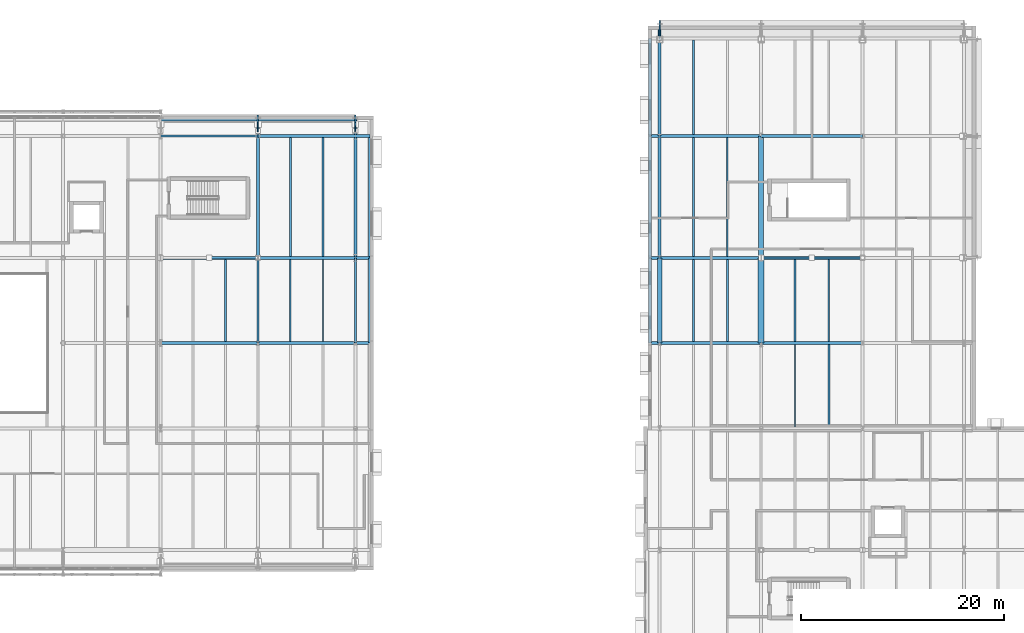
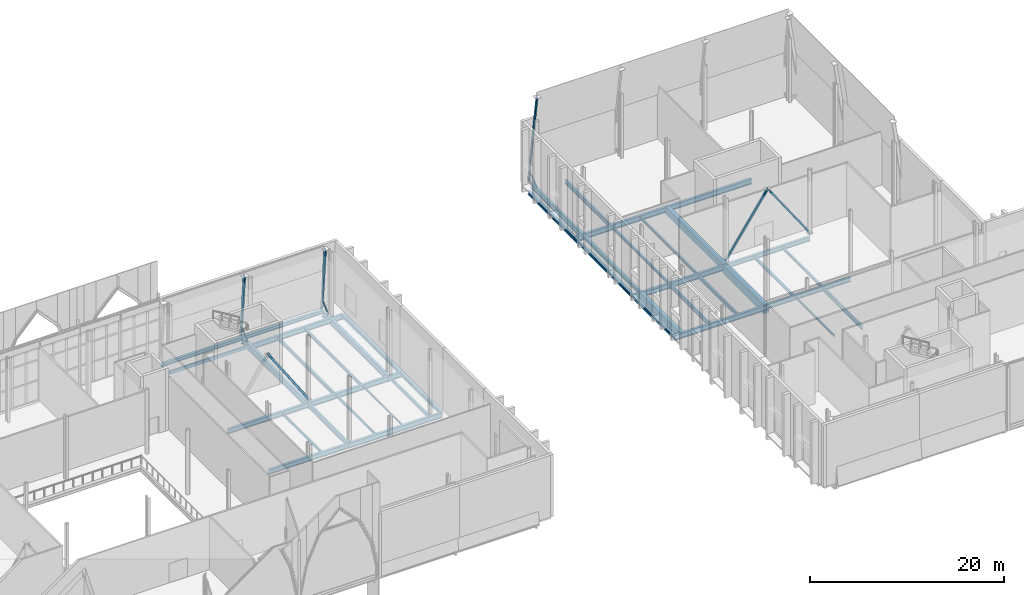
# One storey, part 32 of 79: 42 beams, 9 members.
"""IFC4 building model written with IfcOpenShell, lengths in metres."""

from ifc_helpers import new_model, si_unit, direction, frame, origin, origin_2d, place, context, subcontext, project, spatial, rectangle, hollow_rectangle, i_section, extrude, material, material_profile, profile_set, type_object, element, save


model = new_model("IFC4")

# Units and contexts
model_context = context("Model", 3, precision=1e-05, world=origin(), true_north=direction((0.0, 1.0)))
body_context = subcontext(model_context, "Body", "Model", "MODEL_VIEW")
ifc_project = project(units=[si_unit("LENGTHUNIT", "METRE"), si_unit("AREAUNIT", "SQUARE_METRE"), si_unit("VOLUMEUNIT", "CUBIC_METRE"), si_unit("PLANEANGLEUNIT", "RADIAN"), si_unit("MASSUNIT", "GRAM", prefix="KILO")], contexts=[model_context])

# Site, building, storey
site_placement = place(None, origin())
site = spatial("IfcSite", under=ifc_project, at=site_placement, CompositionType="ELEMENT")
building_placement = place(site_placement, origin())
building = spatial("IfcBuilding", under=site, at=building_placement, Name="Zereglee Splitstone Museum", CompositionType="ELEMENT")
storey_placement = place(building_placement, frame((0.0, 0.0, 9.0)))
storey = spatial("IfcBuildingStorey", under=building, at=storey_placement, Name="L02", CompositionType="ELEMENT", Elevation=9.0)

# Beams
ifc_material_1 = material(Name="Concrete C40/50", Category="concrete")
ifc_material_profile_1 = material_profile(ifc_material_1, rectangle(XDim=0.5, YDim=0.85009765625, at=origin_2d()), Name="RC 500x850")
ifc_profile_set_1 = profile_set([ifc_material_profile_1], Name="Concrete C40/50")
beam_type_1 = type_object("IfcBeamType", Name="BG-02", PredefinedType="BEAM", material=ifc_profile_set_1)
beam_1_placement = place(storey_placement, frame((185.199951171875, 38.39990234375, -0.7451171875), z_axis=(0.0, 1.0, 0.0), x_axis=(-1.0, 0.0, 0.0)))
element("IfcBeam", 1, at=beam_1_placement, inside=storey, type_object=beam_type_1, Name="Primary Girder L02 21 (38.4-50.4)", PredefinedType="BEAM", context=body_context, shape_type="SweptSolid", body=[
    extrude(rectangle(XDim=0.5, YDim=0.85009765625, at=origin_2d()), origin(), (0.0, 0.0, 1.0), 12.0),
])
ifc_material_profile_2 = material_profile(ifc_material_1, rectangle(XDim=0.60009765625, YDim=1.10009765625, at=origin_2d()), Name="RC 600x1100")
ifc_profile_set_2 = profile_set([ifc_material_profile_2], Name="Concrete C40/50")
beam_type_2 = type_object("IfcBeamType", Name="BG-01", PredefinedType="BEAM", material=ifc_profile_set_2)
beam_2_placement = place(storey_placement, frame((185.199951171875, 30.0, -0.8701171875), z_axis=(0.0, 1.0, 0.0), x_axis=(-1.0, 0.0, 0.0)))
element("IfcBeam", 2, at=beam_2_placement, inside=storey, type_object=beam_type_2, Name="Primary Girder L02 21 (30.0-38.4)", PredefinedType="BEAM", context=body_context, shape_type="SweptSolid", body=[
    extrude(rectangle(XDim=0.60009765625, YDim=1.10009765625, at=origin_2d()), origin(), (0.0, 0.0, 1.0), 8.39990234375),
])

# Members
ifc_material_2 = material(Name="Steel S355J2H", Category="steel")
ifc_material_profile_3 = material_profile(ifc_material_2, hollow_rectangle(XDim=0.199951171875, YDim=0.199951171875, WallThickness=0.010009765625, at=origin_2d()), Name="SHS 200x200x10")
ifc_profile_set_3 = profile_set([ifc_material_profile_3], Name="Steel S355J2H")
member_type_1 = type_object("IfcMemberType", Name="TB-07", PredefinedType="BRACE", material=ifc_profile_set_3)
for number, where, z_axis, x_axis, name in (
    (3, (185.199951171875, 38.39990234375, 0.1201171875), (0.567215076926, 0.0, 0.82356970349), (0.0, 1.0, 0.0), "Lateral Braced Frame Chevron L02-021A"),
    (4, (195.199951171875, 38.39990234375, 0.1201171875), (-0.567215076926, 0.0, 0.82356970349), (0.0, -1.0, 0.0), "Lateral Braced Frame Chevron L02-021B"),
):
    element("IfcMember", number, at=place(storey_placement, frame(where, z_axis=z_axis, x_axis=x_axis)), inside=storey, type_object=member_type_1, Name=name, PredefinedType="BRACE", context=body_context, shape_type="SweptSolid", body=[
        extrude(hollow_rectangle(XDim=0.199951171875, YDim=0.199951171875, WallThickness=0.010009765625, at=origin_2d()), origin(), (0.0, 0.0, 1.0), 8.81494140625),
    ])
ifc_material_profile_4 = material_profile(ifc_material_2, hollow_rectangle(XDim=0.25, YDim=0.25, WallThickness=0.012451171875, at=origin_2d()), Name="SHS 250x250x12.5")
ifc_profile_set_4 = profile_set([ifc_material_profile_4], Name="Steel S355J2H")
member_type_2 = type_object("IfcMemberType", Name="TB-06", PredefinedType="BRACE", material=ifc_profile_set_4)
member_1_placement = place(storey_placement, frame((135.60009765625, 38.39990234375, 0.1201171875), z_axis=(-0.551530619986, 0.0, 0.834154647063), x_axis=(0.0, -1.0, 0.0)))
element("IfcMember", 5, at=member_1_placement, inside=storey, type_object=member_type_2, Name="Lateral Braced Frame Chevron L02-012B", PredefinedType="BRACE", context=body_context, shape_type="SweptSolid", body=[
    extrude(hollow_rectangle(XDim=0.25, YDim=0.25, WallThickness=0.012451171875, at=origin_2d()), origin(), (0.0, 0.0, 1.0), 8.703125),
])

# Beams
ifc_material_3 = material(Name="Steel S355J2", Category="steel")
ifc_material_profile_5 = material_profile(ifc_material_3, i_section(OverallWidth=0.300048828125, OverallDepth=0.550048828125, WebThickness=0.014892578125, FlangeThickness=0.029052734375, FilletRadius=0.027099609375, at=origin_2d()), Name="HE 550 B")
ifc_profile_set_5 = profile_set([ifc_material_profile_5], Name="Steel S355J2")
beam_type_3 = type_object("IfcBeamType", Name="BG-11", PredefinedType="BEAM", material=ifc_profile_set_5)
for number, where, z_axis, x_axis, name in (
    (6, (185.199951171875, 30.0, -0.594970703125), (1.0, 0.0, 0.0), (0.0, 1.0, 0.0), "Primary Girder L02 D (185.2-195.2)"),
    (7, (185.199951171875, 38.39990234375, -0.594970703125), (1.0, 0.0, 0.0), (0.0, 1.0, 0.0), "Primary Girder L02 E (185.2-195.2)"),
):
    element("IfcBeam", number, at=place(storey_placement, frame(where, z_axis=z_axis, x_axis=x_axis)), inside=storey, type_object=beam_type_3, Name=name, PredefinedType="BEAM", context=body_context, shape_type="SweptSolid", body=[
        extrude(i_section(OverallWidth=0.300048828125, OverallDepth=0.550048828125, WebThickness=0.014892578125, FlangeThickness=0.029052734375, FilletRadius=0.027099609375, at=origin_2d()), origin(), (0.0, 0.0, 1.0), 10.0),
    ])
ifc_material_profile_6 = material_profile(ifc_material_3, i_section(OverallWidth=0.300048828125, OverallDepth=0.60009765625, WebThickness=0.015380859375, FlangeThickness=0.030029296875, FilletRadius=0.027099609375, at=origin_2d()), Name="HE 600 B")
ifc_profile_set_6 = profile_set([ifc_material_profile_6], Name="Steel S355J2")
beam_type_4 = type_object("IfcBeamType", Name="BG-10", PredefinedType="BEAM", material=ifc_profile_set_6)
for number, where, z_axis, x_axis, name in (
    (8, (126.0, 30.0, -0.6201171875), (1.0, 0.0, 0.0), (0.0, 1.0, 0.0), "Primary Girder L02 D (126.0-135.6)"),
    (9, (126.0, 38.39990234375, -0.6201171875), (1.0, 0.0, 0.0), (0.0, 1.0, 0.0), "Primary Girder L02 E (126.0-135.6)"),
):
    element("IfcBeam", number, at=place(storey_placement, frame(where, z_axis=z_axis, x_axis=x_axis)), inside=storey, type_object=beam_type_4, Name=name, PredefinedType="BEAM", context=body_context, shape_type="SweptSolid", body=[
        extrude(i_section(OverallWidth=0.300048828125, OverallDepth=0.60009765625, WebThickness=0.015380859375, FlangeThickness=0.030029296875, FilletRadius=0.027099609375, at=origin_2d()), origin(), (0.0, 0.0, 1.0), 9.60009765625),
    ])
ifc_material_profile_7 = material_profile(ifc_material_3, i_section(OverallWidth=0.300048828125, OverallDepth=0.64990234375, WebThickness=0.01611328125, FlangeThickness=0.031005859375, FilletRadius=0.027099609375, at=origin_2d()), Name="HE 650 B")
ifc_profile_set_7 = profile_set([ifc_material_profile_7], Name="Steel S355J2")
beam_type_5 = type_object("IfcBeamType", Name="BG-09", PredefinedType="BEAM", material=ifc_profile_set_7)
beam_3_placement = place(storey_placement, frame((135.60009765625, 30.0, -0.64501953125), z_axis=(1.0, 0.0, 0.0), x_axis=(0.0, 1.0, 0.0)))
element("IfcBeam", 10, at=beam_3_placement, inside=storey, type_object=beam_type_5, Name="Primary Girder L02 D (135.6-146.7)", PredefinedType="BEAM", context=body_context, shape_type="SweptSolid", body=[
    extrude(i_section(OverallWidth=0.300048828125, OverallDepth=0.64990234375, WebThickness=0.01611328125, FlangeThickness=0.031005859375, FilletRadius=0.027099609375, at=origin_2d()), origin(), (0.0, 0.0, 1.0), 11.0498046875),
])
beam_4_placement = place(storey_placement, frame((174.25, 30.0, -0.64501953125), z_axis=(1.0, 0.0, 0.0), x_axis=(0.0, 1.0, 0.0)))
element("IfcBeam", 11, at=beam_4_placement, inside=storey, type_object=beam_type_5, Name="Primary Girder L02 D (174.2-185.2)", PredefinedType="BEAM", context=body_context, shape_type="SweptSolid", body=[
    extrude(i_section(OverallWidth=0.300048828125, OverallDepth=0.64990234375, WebThickness=0.01611328125, FlangeThickness=0.031005859375, FilletRadius=0.027099609375, at=origin_2d()), origin(), (0.0, 0.0, 1.0), 10.949951171875),
])
beam_5_placement = place(storey_placement, frame((135.60009765625, 38.39990234375, -0.64501953125), z_axis=(1.0, 0.0, 0.0), x_axis=(0.0, 1.0, 0.0)))
element("IfcBeam", 12, at=beam_5_placement, inside=storey, type_object=beam_type_5, Name="Primary Girder L02 E (135.6-146.7)", PredefinedType="BEAM", context=body_context, shape_type="SweptSolid", body=[
    extrude(i_section(OverallWidth=0.300048828125, OverallDepth=0.64990234375, WebThickness=0.01611328125, FlangeThickness=0.031005859375, FilletRadius=0.027099609375, at=origin_2d()), origin(), (0.0, 0.0, 1.0), 11.0498046875),
])
beam_6_placement = place(storey_placement, frame((174.25, 38.39990234375, -0.64501953125), z_axis=(1.0, 0.0, 0.0), x_axis=(0.0, 1.0, 0.0)))
element("IfcBeam", 13, at=beam_6_placement, inside=storey, type_object=beam_type_5, Name="Primary Girder L02 E (174.2-185.2)", PredefinedType="BEAM", context=body_context, shape_type="SweptSolid", body=[
    extrude(i_section(OverallWidth=0.300048828125, OverallDepth=0.64990234375, WebThickness=0.01611328125, FlangeThickness=0.031005859375, FilletRadius=0.027099609375, at=origin_2d()), origin(), (0.0, 0.0, 1.0), 10.949951171875),
])
beam_7_placement = place(storey_placement, frame((135.60009765625, 50.39990234375, -0.64501953125), z_axis=(1.0, 0.0, 0.0), x_axis=(0.0, 1.0, 0.0)))
element("IfcBeam", 14, at=beam_7_placement, inside=storey, type_object=beam_type_5, Name="Primary Girder L02 F (135.6-146.7)", PredefinedType="BEAM", context=body_context, shape_type="SweptSolid", body=[
    extrude(i_section(OverallWidth=0.300048828125, OverallDepth=0.64990234375, WebThickness=0.01611328125, FlangeThickness=0.031005859375, FilletRadius=0.027099609375, at=origin_2d()), origin(), (0.0, 0.0, 1.0), 11.0498046875),
])
beam_8_placement = place(storey_placement, frame((174.25, 50.39990234375, -0.64501953125), z_axis=(1.0, 0.0, 0.0), x_axis=(0.0, 1.0, 0.0)))
element("IfcBeam", 15, at=beam_8_placement, inside=storey, type_object=beam_type_5, Name="Primary Girder L02 F (174.2-185.2)", PredefinedType="BEAM", context=body_context, shape_type="SweptSolid", body=[
    extrude(i_section(OverallWidth=0.300048828125, OverallDepth=0.64990234375, WebThickness=0.01611328125, FlangeThickness=0.031005859375, FilletRadius=0.027099609375, at=origin_2d()), origin(), (0.0, 0.0, 1.0), 10.949951171875),
])
beam_9_placement = place(storey_placement, frame((185.199951171875, 50.39990234375, -0.64501953125), z_axis=(1.0, 0.0, 0.0), x_axis=(0.0, 1.0, 0.0)))
element("IfcBeam", 16, at=beam_9_placement, inside=storey, type_object=beam_type_5, Name="Primary Girder L02 F (185.2-195.2)", PredefinedType="BEAM", context=body_context, shape_type="SweptSolid", body=[
    extrude(i_section(OverallWidth=0.300048828125, OverallDepth=0.64990234375, WebThickness=0.01611328125, FlangeThickness=0.031005859375, FilletRadius=0.027099609375, at=origin_2d()), origin(), (0.0, 0.0, 1.0), 10.0),
])
beam_10_placement = place(storey_placement, frame((175.199951171875, 50.39990234375, -0.64501953125), z_axis=(0.0, 1.0, 0.0), x_axis=(-1.0, 0.0, 0.0)))
element("IfcBeam", 17, at=beam_10_placement, inside=storey, type_object=beam_type_5, Name="Primary Girder L02 20 (50.4-61.0)", PredefinedType="BEAM", context=body_context, shape_type="SweptSolid", body=[
    extrude(i_section(OverallWidth=0.300048828125, OverallDepth=0.64990234375, WebThickness=0.01611328125, FlangeThickness=0.031005859375, FilletRadius=0.027099609375, at=origin_2d()), origin(), (0.0, 0.0, 1.0), 10.650146484375),
])
ifc_material_profile_8 = material_profile(ifc_material_3, i_section(OverallWidth=0.300048828125, OverallDepth=0.800048828125, WebThickness=0.017578125, FlangeThickness=0.032958984375, FilletRadius=0.030029296875, at=origin_2d()), Name="HE 800 B")
ifc_profile_set_8 = profile_set([ifc_material_profile_8], Name="Steel S355J2")
beam_type_6 = type_object("IfcBeamType", Name="BG-07", PredefinedType="BEAM", material=ifc_profile_set_8)
for number, where, z_axis, x_axis, name in (
    (18, (135.60009765625, 38.39990234375, -0.719970703125), (0.0, 1.0, 0.0), (-1.0, 0.0, 0.0), "Primary Girder L02 16 (38.4-52.0)"),
    (19, (145.199951171875, 38.39990234375, -0.719970703125), (0.0, 1.0, 0.0), (-1.0, 0.0, 0.0), "Primary Girder L02 17 (38.4-52.0)"),
):
    element("IfcBeam", number, at=place(storey_placement, frame(where, z_axis=z_axis, x_axis=x_axis)), inside=storey, type_object=beam_type_6, Name=name, PredefinedType="BEAM", context=body_context, shape_type="SweptSolid", body=[
        extrude(i_section(OverallWidth=0.300048828125, OverallDepth=0.800048828125, WebThickness=0.017578125, FlangeThickness=0.032958984375, FilletRadius=0.030029296875, at=origin_2d()), origin(), (0.0, 0.0, 1.0), 13.650146484375),
    ])
ifc_material_profile_9 = material_profile(ifc_material_3, i_section(OverallWidth=0.219970703125, OverallDepth=0.60009765625, WebThickness=0.011962890625, FlangeThickness=0.01904296875, FilletRadius=0.02392578125, at=origin_2d()), Name="IPE 600")
ifc_profile_set_9 = profile_set([ifc_material_profile_9], Name="Steel S355J2")
beam_type_7 = type_object("IfcBeamType", Name="BG-15", PredefinedType="BEAM", material=ifc_profile_set_9)
beam_11_placement = place(storey_placement, frame((135.60009765625, 30.0, -0.6201171875), z_axis=(0.0, 1.0, 0.0), x_axis=(-1.0, 0.0, 0.0)))
element("IfcBeam", 20, at=beam_11_placement, inside=storey, type_object=beam_type_7, Name="Primary Girder L02 16 (30.0-38.4)", PredefinedType="BEAM", context=body_context, shape_type="SweptSolid", body=[
    extrude(i_section(OverallWidth=0.219970703125, OverallDepth=0.60009765625, WebThickness=0.011962890625, FlangeThickness=0.01904296875, FilletRadius=0.02392578125, at=origin_2d()), origin(), (0.0, 0.0, 1.0), 8.39990234375),
])
ifc_material_profile_10 = material_profile(ifc_material_3, i_section(OverallWidth=0.1201171875, OverallDepth=0.239990234375, WebThickness=0.006103515625, FlangeThickness=0.009765625, FilletRadius=0.014892578125, at=origin_2d()), Name="IPE 240")
ifc_profile_set_10 = profile_set([ifc_material_profile_10], Name="Steel S355J2")
beam_type_8 = type_object("IfcBeamType", Name="BJ-07", PredefinedType="JOIST", material=ifc_profile_set_10)
for number, where, z_axis, x_axis, name in (
    (21, (188.533203125, 21.75, -0.43994140625), (0.0, 1.0, 0.0), (-1.0, 0.0, 0.0), "Secondary Floor Joist L02-1091"),
    (22, (142.0, 30.14990234375, -0.43994140625), (0.0, 1.0, 0.0), (-1.0, 0.0, 0.0), "Secondary Floor Joist L02-1112"),
):
    element("IfcBeam", number, at=place(storey_placement, frame(where, z_axis=z_axis, x_axis=x_axis)), inside=storey, type_object=beam_type_8, Name=name, PredefinedType="JOIST", context=body_context, shape_type="SweptSolid", body=[
        extrude(i_section(OverallWidth=0.1201171875, OverallDepth=0.239990234375, WebThickness=0.006103515625, FlangeThickness=0.009765625, FilletRadius=0.014892578125, at=origin_2d()), origin(), (0.0, 0.0, 1.0), 8.10009765625),
    ])
ifc_material_profile_11 = material_profile(ifc_material_3, i_section(OverallWidth=0.14990234375, OverallDepth=0.300048828125, WebThickness=0.007080078125, FlangeThickness=0.0107421875, FilletRadius=0.014892578125, at=origin_2d()), Name="IPE 300")
ifc_profile_set_11 = profile_set([ifc_material_profile_11], Name="Steel S355J2")
beam_type_9 = type_object("IfcBeamType", Name="BJ-06", PredefinedType="JOIST", material=ifc_profile_set_11)
beam_12_placement = place(storey_placement, frame((138.800048828125, 30.14990234375, -0.469970703125), z_axis=(0.0, 1.0, 0.0), x_axis=(-1.0, 0.0, 0.0)))
element("IfcBeam", 23, at=beam_12_placement, inside=storey, type_object=beam_type_9, Name="Secondary Floor Joist L02-1111", PredefinedType="JOIST", context=body_context, shape_type="SweptSolid", body=[
    extrude(i_section(OverallWidth=0.14990234375, OverallDepth=0.300048828125, WebThickness=0.007080078125, FlangeThickness=0.0107421875, FilletRadius=0.014892578125, at=origin_2d()), origin(), (0.0, 0.0, 1.0), 8.10009765625),
])
ifc_material_profile_12 = material_profile(ifc_material_3, i_section(OverallWidth=0.159912109375, OverallDepth=0.330078125, WebThickness=0.007568359375, FlangeThickness=0.011474609375, FilletRadius=0.01806640625, at=origin_2d()), Name="IPE 330")
ifc_profile_set_12 = profile_set([ifc_material_profile_12], Name="Steel S355J2")
beam_type_10 = type_object("IfcBeamType", Name="BJ-05", PredefinedType="JOIST", material=ifc_profile_set_12)
beam_13_placement = place(storey_placement, frame((132.39990234375, 30.14990234375, -0.485107421875), z_axis=(0.0, 1.0, 0.0), x_axis=(-1.0, 0.0, 0.0)))
element("IfcBeam", 24, at=beam_13_placement, inside=storey, type_object=beam_type_10, Name="Secondary Floor Joist L02-1110", PredefinedType="JOIST", context=body_context, shape_type="SweptSolid", body=[
    extrude(i_section(OverallWidth=0.159912109375, OverallDepth=0.330078125, WebThickness=0.007568359375, FlangeThickness=0.011474609375, FilletRadius=0.01806640625, at=origin_2d()), origin(), (0.0, 0.0, 1.0), 8.10009765625),
])
beam_14_placement = place(storey_placement, frame((181.86669921875, 38.550048828125, -0.485107421875), z_axis=(0.0, 1.0, 0.0), x_axis=(-1.0, 0.0, 0.0)))
element("IfcBeam", 25, at=beam_14_placement, inside=storey, type_object=beam_type_10, Name="Secondary Floor Joist L02-1131", PredefinedType="JOIST", context=body_context, shape_type="SweptSolid", body=[
    extrude(i_section(OverallWidth=0.159912109375, OverallDepth=0.330078125, WebThickness=0.007568359375, FlangeThickness=0.011474609375, FilletRadius=0.01806640625, at=origin_2d()), origin(), (0.0, 0.0, 1.0), 11.699951171875),
])
ifc_material_profile_13 = material_profile(ifc_material_3, i_section(OverallWidth=0.169921875, OverallDepth=0.360107421875, WebThickness=0.008056640625, FlangeThickness=0.0126953125, FilletRadius=0.01806640625, at=origin_2d()), Name="IPE 360")
ifc_profile_set_13 = profile_set([ifc_material_profile_13], Name="Steel S355J2")
beam_type_11 = type_object("IfcBeamType", Name="BJ-04", PredefinedType="JOIST", material=ifc_profile_set_13)
beam_15_placement = place(storey_placement, frame((191.86669921875, 30.14990234375, -0.5), z_axis=(0.0, 1.0, 0.0), x_axis=(-1.0, 0.0, 0.0)))
element("IfcBeam", 26, at=beam_15_placement, inside=storey, type_object=beam_type_11, Name="Secondary Floor Joist L02-1116", PredefinedType="JOIST", context=body_context, shape_type="SweptSolid", body=[
    extrude(i_section(OverallWidth=0.169921875, OverallDepth=0.360107421875, WebThickness=0.008056640625, FlangeThickness=0.0126953125, FilletRadius=0.01806640625, at=origin_2d()), origin(), (0.0, 0.0, 1.0), 8.10009765625),
])
beam_16_placement = place(storey_placement, frame((178.533203125, 38.550048828125, -0.5), z_axis=(0.0, 1.0, 0.0), x_axis=(-1.0, 0.0, 0.0)))
element("IfcBeam", 27, at=beam_16_placement, inside=storey, type_object=beam_type_11, Name="Secondary Floor Joist L02-1130", PredefinedType="JOIST", context=body_context, shape_type="SweptSolid", body=[
    extrude(i_section(OverallWidth=0.169921875, OverallDepth=0.360107421875, WebThickness=0.008056640625, FlangeThickness=0.0126953125, FilletRadius=0.01806640625, at=origin_2d()), origin(), (0.0, 0.0, 1.0), 11.699951171875),
])
ifc_material_profile_14 = material_profile(ifc_material_3, i_section(OverallWidth=0.179931640625, OverallDepth=0.39990234375, WebThickness=0.008544921875, FlangeThickness=0.013427734375, FilletRadius=0.02099609375, at=origin_2d()), Name="IPE 400")
ifc_profile_set_14 = profile_set([ifc_material_profile_14], Name="Steel S355J2")
beam_type_12 = type_object("IfcBeamType", Name="BJ-03", PredefinedType="JOIST", material=ifc_profile_set_14)
beam_17_placement = place(storey_placement, frame((188.533203125, 30.14990234375, -0.52001953125), z_axis=(0.0, 1.0, 0.0), x_axis=(-1.0, 0.0, 0.0)))
element("IfcBeam", 28, at=beam_17_placement, inside=storey, type_object=beam_type_12, Name="Secondary Floor Joist L02-1115", PredefinedType="JOIST", context=body_context, shape_type="SweptSolid", body=[
    extrude(i_section(OverallWidth=0.179931640625, OverallDepth=0.39990234375, WebThickness=0.008544921875, FlangeThickness=0.013427734375, FilletRadius=0.02099609375, at=origin_2d()), origin(), (0.0, 0.0, 1.0), 8.10009765625),
])
beam_18_placement = place(storey_placement, frame((142.0, 38.550048828125, -0.52001953125), z_axis=(0.0, 1.0, 0.0), x_axis=(-1.0, 0.0, 0.0)))
element("IfcBeam", 29, at=beam_18_placement, inside=storey, type_object=beam_type_12, Name="Secondary Floor Joist L02-1129", PredefinedType="JOIST", context=body_context, shape_type="SweptSolid", body=[
    extrude(i_section(OverallWidth=0.179931640625, OverallDepth=0.39990234375, WebThickness=0.008544921875, FlangeThickness=0.013427734375, FilletRadius=0.02099609375, at=origin_2d()), origin(), (0.0, 0.0, 1.0), 11.699951171875),
])
ifc_material_profile_15 = material_profile(ifc_material_3, i_section(OverallWidth=0.18994140625, OverallDepth=0.449951171875, WebThickness=0.009521484375, FlangeThickness=0.0146484375, FilletRadius=0.02099609375, at=origin_2d()), Name="IPE 450")
ifc_profile_set_15 = profile_set([ifc_material_profile_15], Name="Steel S355J2")
beam_type_13 = type_object("IfcBeamType", Name="BJ-02", PredefinedType="JOIST", material=ifc_profile_set_15)
beam_19_placement = place(storey_placement, frame((181.86669921875, 30.14990234375, -0.544921875), z_axis=(0.0, 1.0, 0.0), x_axis=(-1.0, 0.0, 0.0)))
element("IfcBeam", 30, at=beam_19_placement, inside=storey, type_object=beam_type_13, Name="Secondary Floor Joist L02-1114", PredefinedType="JOIST", context=body_context, shape_type="SweptSolid", body=[
    extrude(i_section(OverallWidth=0.18994140625, OverallDepth=0.449951171875, WebThickness=0.009521484375, FlangeThickness=0.0146484375, FilletRadius=0.02099609375, at=origin_2d()), origin(), (0.0, 0.0, 1.0), 8.10009765625),
])
beam_20_placement = place(storey_placement, frame((138.800048828125, 38.550048828125, -0.544921875), z_axis=(0.0, 1.0, 0.0), x_axis=(-1.0, 0.0, 0.0)))
element("IfcBeam", 31, at=beam_20_placement, inside=storey, type_object=beam_type_13, Name="Secondary Floor Joist L02-1128", PredefinedType="JOIST", context=body_context, shape_type="SweptSolid", body=[
    extrude(i_section(OverallWidth=0.18994140625, OverallDepth=0.449951171875, WebThickness=0.009521484375, FlangeThickness=0.0146484375, FilletRadius=0.02099609375, at=origin_2d()), origin(), (0.0, 0.0, 1.0), 11.699951171875),
])
ifc_material_profile_16 = material_profile(ifc_material_3, i_section(OverallWidth=0.199951171875, OverallDepth=0.5, WebThickness=0.01025390625, FlangeThickness=0.01611328125, FilletRadius=0.02099609375, at=origin_2d()), Name="IPE 500")
ifc_profile_set_16 = profile_set([ifc_material_profile_16], Name="Steel S355J2")
beam_type_14 = type_object("IfcBeamType", Name="BJ-01", PredefinedType="JOIST", material=ifc_profile_set_16)
for number, where, z_axis, x_axis, name in (
    (32, (191.86669921875, 21.75, -0.570068359375), (0.0, 1.0, 0.0), (-1.0, 0.0, 0.0), "Secondary Floor Joist L02-1092"),
    (33, (178.533203125, 30.14990234375, -0.570068359375), (0.0, 1.0, 0.0), (-1.0, 0.0, 0.0), "Secondary Floor Joist L02-1113"),
):
    element("IfcBeam", number, at=place(storey_placement, frame(where, z_axis=z_axis, x_axis=x_axis)), inside=storey, type_object=beam_type_14, Name=name, PredefinedType="JOIST", context=body_context, shape_type="SweptSolid", body=[
        extrude(i_section(OverallWidth=0.199951171875, OverallDepth=0.5, WebThickness=0.01025390625, FlangeThickness=0.01611328125, FilletRadius=0.02099609375, at=origin_2d()), origin(), (0.0, 0.0, 1.0), 8.10009765625),
    ])
beam_21_placement = place(storey_placement, frame((178.533203125, 50.550048828125, -0.570068359375), z_axis=(0.0, 1.0, 0.0), x_axis=(-1.0, 0.0, 0.0)))
element("IfcBeam", 34, at=beam_21_placement, inside=storey, type_object=beam_type_14, Name="Secondary Floor Joist L02-1134", PredefinedType="JOIST", context=body_context, shape_type="SweptSolid", body=[
    extrude(i_section(OverallWidth=0.199951171875, OverallDepth=0.5, WebThickness=0.01025390625, FlangeThickness=0.01611328125, FilletRadius=0.02099609375, at=origin_2d()), origin(), (0.0, 0.0, 1.0), 9.300048828125),
])
ifc_material_profile_17 = material_profile(ifc_material_3, i_section(OverallWidth=0.300048828125, OverallDepth=0.449951171875, WebThickness=0.013916015625, FlangeThickness=0.02587890625, FilletRadius=0.027099609375, at=origin_2d()), Name="HE 450 B")
ifc_profile_set_17 = profile_set([ifc_material_profile_17], Name="Steel S355J2")
beam_type_15 = type_object("IfcBeamType", Name="SP-02", PredefinedType="SPANDREL", material=ifc_profile_set_17)
beam_22_placement = place(storey_placement, frame((175.199951171875, 38.39990234375, -0.544921875), z_axis=(0.0, 1.0, 0.0), x_axis=(-1.0, 0.0, 0.0)))
element("IfcBeam", 35, at=beam_22_placement, inside=storey, type_object=beam_type_15, Name="Primary Girder L02 20 (38.4-50.4)", PredefinedType="SPANDREL", context=body_context, shape_type="SweptSolid", body=[
    extrude(i_section(OverallWidth=0.300048828125, OverallDepth=0.449951171875, WebThickness=0.013916015625, FlangeThickness=0.02587890625, FilletRadius=0.027099609375, at=origin_2d()), origin(), (0.0, 0.0, 1.0), 12.0),
])
beam_23_placement = place(storey_placement, frame((126.0, 52.050048828125, -0.544921875), z_axis=(1.0, 0.0, 0.0), x_axis=(0.0, 1.0, 0.0)))
element("IfcBeam", 36, at=beam_23_placement, inside=storey, type_object=beam_type_15, Name="Hovering Soffit Spandrel L02 (126.0-135.6)", PredefinedType="SPANDREL", context=body_context, shape_type="SweptSolid", body=[
    extrude(i_section(OverallWidth=0.300048828125, OverallDepth=0.449951171875, WebThickness=0.013916015625, FlangeThickness=0.02587890625, FilletRadius=0.027099609375, at=origin_2d()), origin(), (0.0, 0.0, 1.0), 9.60009765625),
])
beam_24_placement = place(storey_placement, frame((135.60009765625, 52.050048828125, -0.544921875), z_axis=(1.0, 0.0, 0.0), x_axis=(0.0, 1.0, 0.0)))
element("IfcBeam", 37, at=beam_24_placement, inside=storey, type_object=beam_type_15, Name="Hovering Soffit Spandrel L02 (135.6-145.2)", PredefinedType="SPANDREL", context=body_context, shape_type="SweptSolid", body=[
    extrude(i_section(OverallWidth=0.300048828125, OverallDepth=0.449951171875, WebThickness=0.013916015625, FlangeThickness=0.02587890625, FilletRadius=0.027099609375, at=origin_2d()), origin(), (0.0, 0.0, 1.0), 9.599853515625),
])
beam_25_placement = place(storey_placement, frame((146.64990234375, 30.0, -0.544921875), z_axis=(0.0, 1.0, 0.0), x_axis=(-1.0, 0.0, 0.0)))
element("IfcBeam", 38, at=beam_25_placement, inside=storey, type_object=beam_type_15, Name="Hovering Soffit Spandrel L02 Y=(30.0-38.4)", PredefinedType="SPANDREL", context=body_context, shape_type="SweptSolid", body=[
    extrude(i_section(OverallWidth=0.300048828125, OverallDepth=0.449951171875, WebThickness=0.013916015625, FlangeThickness=0.02587890625, FilletRadius=0.027099609375, at=origin_2d()), origin(), (0.0, 0.0, 1.0), 8.39990234375),
])
beam_26_placement = place(storey_placement, frame((146.64990234375, 38.39990234375, -0.544921875), z_axis=(0.0, 1.0, 0.0), x_axis=(-1.0, 0.0, 0.0)))
element("IfcBeam", 39, at=beam_26_placement, inside=storey, type_object=beam_type_15, Name="Hovering Soffit Spandrel L02 Y=(38.4-50.4)", PredefinedType="SPANDREL", context=body_context, shape_type="SweptSolid", body=[
    extrude(i_section(OverallWidth=0.300048828125, OverallDepth=0.449951171875, WebThickness=0.013916015625, FlangeThickness=0.02587890625, FilletRadius=0.027099609375, at=origin_2d()), origin(), (0.0, 0.0, 1.0), 12.0),
])
beam_27_placement = place(storey_placement, frame((174.25, 30.0, -0.544921875), z_axis=(0.0, 1.0, 0.0), x_axis=(-1.0, 0.0, 0.0)))
element("IfcBeam", 40, at=beam_27_placement, inside=storey, type_object=beam_type_15, Name="Hovering Soffit Spandrel L02 Y=(30.0-38.4)", PredefinedType="SPANDREL", context=body_context, shape_type="SweptSolid", body=[
    extrude(i_section(OverallWidth=0.300048828125, OverallDepth=0.449951171875, WebThickness=0.013916015625, FlangeThickness=0.02587890625, FilletRadius=0.027099609375, at=origin_2d()), origin(), (0.0, 0.0, 1.0), 8.39990234375),
])
beam_28_placement = place(storey_placement, frame((174.25, 38.39990234375, -0.544921875), z_axis=(0.0, 1.0, 0.0), x_axis=(-1.0, 0.0, 0.0)))
element("IfcBeam", 41, at=beam_28_placement, inside=storey, type_object=beam_type_15, Name="Hovering Soffit Spandrel L02 Y=(38.4-50.4)", PredefinedType="SPANDREL", context=body_context, shape_type="SweptSolid", body=[
    extrude(i_section(OverallWidth=0.300048828125, OverallDepth=0.449951171875, WebThickness=0.013916015625, FlangeThickness=0.02587890625, FilletRadius=0.027099609375, at=origin_2d()), origin(), (0.0, 0.0, 1.0), 12.0),
])
beam_29_placement = place(storey_placement, frame((174.25, 50.39990234375, -0.544921875), z_axis=(0.0, 1.0, 0.0), x_axis=(-1.0, 0.0, 0.0)))
element("IfcBeam", 42, at=beam_29_placement, inside=storey, type_object=beam_type_15, Name="Hovering Soffit Spandrel L02 Y=(50.4-60.0)", PredefinedType="SPANDREL", context=body_context, shape_type="SweptSolid", body=[
    extrude(i_section(OverallWidth=0.300048828125, OverallDepth=0.449951171875, WebThickness=0.013916015625, FlangeThickness=0.02587890625, FilletRadius=0.027099609375, at=origin_2d()), origin(), (0.0, 0.0, 1.0), 9.60009765625),
])
ifc_material_profile_18 = material_profile(ifc_material_1, rectangle(XDim=0.449951171875, YDim=0.75, at=origin_2d()), Name="RC 450x750")
ifc_profile_set_18 = profile_set([ifc_material_profile_18], Name="Concrete C40/50")
beam_type_16 = type_object("IfcBeamType", Name="SP-01", PredefinedType="SPANDREL", material=ifc_profile_set_18)
beam_30_placement = place(storey_placement, frame((175.199951171875, 30.0, -0.695068359375), z_axis=(0.0, 1.0, 0.0), x_axis=(-1.0, 0.0, 0.0)))
element("IfcBeam", 43, at=beam_30_placement, inside=storey, type_object=beam_type_16, Name="Primary Girder L02 20 (30.0-38.4)", PredefinedType="SPANDREL", context=body_context, shape_type="SweptSolid", body=[
    extrude(rectangle(XDim=0.449951171875, YDim=0.75, at=origin_2d()), origin(), (0.0, 0.0, 1.0), 8.39990234375),
])
ifc_material_profile_19 = material_profile(ifc_material_2, hollow_rectangle(XDim=0.199951171875, YDim=0.39990234375, WallThickness=0.01611328125, at=origin_2d()), Name="RHS 400x200x16")
ifc_profile_set_19 = profile_set([ifc_material_profile_19], Name="Steel S355J2H")
beam_type_17 = type_object("IfcBeamType", Name="SP-04", PredefinedType="SPANDREL", material=ifc_profile_set_19)
beam_31_placement = place(storey_placement, frame((126.0, 50.39990234375, -0.52001953125), z_axis=(1.0, 0.0, 0.0), x_axis=(0.0, 1.0, 0.0)))
element("IfcBeam", 44, at=beam_31_placement, inside=storey, type_object=beam_type_17, Name="Primary Girder L02 F (126.0-135.6)", PredefinedType="SPANDREL", context=body_context, shape_type="SweptSolid", body=[
    extrude(hollow_rectangle(XDim=0.199951171875, YDim=0.39990234375, WallThickness=0.01611328125, at=origin_2d()), origin(), (0.0, 0.0, 1.0), 9.60009765625),
])
beam_32_placement = place(storey_placement, frame((145.199951171875, 30.0, -0.52001953125), z_axis=(0.0, 1.0, 0.0), x_axis=(-1.0, 0.0, 0.0)))
element("IfcBeam", 45, at=beam_32_placement, inside=storey, type_object=beam_type_17, Name="Primary Girder L02 17 (30.0-38.4)", PredefinedType="SPANDREL", context=body_context, shape_type="SweptSolid", body=[
    extrude(hollow_rectangle(XDim=0.199951171875, YDim=0.39990234375, WallThickness=0.01611328125, at=origin_2d()), origin(), (0.0, 0.0, 1.0), 8.39990234375),
])

# Members
ifc_material_profile_20 = material_profile(ifc_material_2, hollow_rectangle(XDim=0.14990234375, YDim=0.25, WallThickness=0.010009765625, at=origin_2d()), Name="RHS 250x150x10")
ifc_profile_set_20 = profile_set([ifc_material_profile_20], Name="Steel S355J2H")
member_type_3 = type_object("IfcMemberType", Name="FS-R2", PredefinedType="STRUT", material=ifc_profile_set_20)
member_2_placement = place(storey_placement, frame((175.199951171875, 61.68310546875, -0.570068359375), z_axis=(0.0, -0.148351552921, 0.988934687806), x_axis=(1.0, 0.0, 0.0)))
element("IfcMember", 46, at=member_2_placement, inside=storey, type_object=member_type_3, Name="Split-Rock Continuous Facet Strut FH-V4N L02-01", PredefinedType="STRUT", context=body_context, shape_type="SweptSolid", body=[
    extrude(hollow_rectangle(XDim=0.14990234375, YDim=0.25, WallThickness=0.010009765625, at=origin_2d()), origin(), (0.0, 0.0, 1.0), 11.830810546875),
])
ifc_material_profile_21 = material_profile(ifc_material_2, hollow_rectangle(XDim=0.14990234375, YDim=0.35009765625, WallThickness=0.012451171875, at=origin_2d()), Name="RHS 350x150x12.5")
ifc_profile_set_21 = profile_set([ifc_material_profile_21], Name="Steel S355J2H")
member_type_4 = type_object("IfcMemberType", Name="FS-R0", PredefinedType="STRUT", material=ifc_profile_set_21)
for number, where, z_axis, x_axis, name in (
    (47, (135.60009765625, 52.304931640625, -0.570068359375), (0.0, -0.090888526295, 0.995861072534), (1.0, 0.0, 0.0), "Split-Rock Continuous Facet Strut FH-V2NE L02-02"),
    (48, (145.199951171875, 52.304931640625, -0.570068359375), (0.0, -0.090888526295, 0.995861072534), (1.0, 0.0, 0.0), "Split-Rock Continuous Facet Strut FH-V2NE L02-03"),
):
    element("IfcMember", number, at=place(storey_placement, frame(where, z_axis=z_axis, x_axis=x_axis)), inside=storey, type_object=member_type_4, Name=name, PredefinedType="STRUT", context=body_context, shape_type="SweptSolid", body=[
        extrude(hollow_rectangle(XDim=0.14990234375, YDim=0.35009765625, WallThickness=0.012451171875, at=origin_2d()), origin(), (0.0, 0.0, 1.0), 8.174072265625),
    ])
ifc_material_profile_22 = material_profile(ifc_material_2, hollow_rectangle(XDim=0.10009765625, YDim=0.179931640625, WallThickness=0.008056640625, at=origin_2d()), Name="RHS 180x100x8")
ifc_profile_set_22 = profile_set([ifc_material_profile_22], Name="Steel S355J2H")
member_type_5 = type_object("IfcMemberType", Name="FS-T2", PredefinedType="STRUT", material=ifc_profile_set_22)
for number, where, z_axis, x_axis, name in (
    (49, (135.60009765625, 50.89990234375, -0.280029296875), (0.0, 0.739099080586, 0.673596725851), (-1.0, 0.0, 0.0), "Facet Tie-Back Strut FH-V2NE L02-02"),
    (50, (145.199951171875, 50.89990234375, -0.280029296875), (0.0, 0.739099080586, 0.673596725851), (-1.0, 0.0, 0.0), "Facet Tie-Back Strut FH-V2NE L02-03"),
):
    element("IfcMember", number, at=place(storey_placement, frame(where, z_axis=z_axis, x_axis=x_axis)), inside=storey, type_object=member_type_5, Name=name, PredefinedType="STRUT", context=body_context, shape_type="SweptSolid", body=[
        extrude(hollow_rectangle(XDim=0.10009765625, YDim=0.179931640625, WallThickness=0.008056640625, at=origin_2d()), origin(), (0.0, 0.0, 1.0), 1.721923828125),
    ])
member_3_placement = place(storey_placement, frame((175.199951171875, 59.89990234375, -0.280029296875), z_axis=(0.0, 0.803519458835, 0.595278488839), x_axis=(-1.0, 0.0, 0.0)))
element("IfcMember", 51, at=member_3_placement, inside=storey, type_object=member_type_5, Name="Facet Tie-Back Strut FH-V4N L02-01", PredefinedType="STRUT", context=body_context, shape_type="SweptSolid", body=[
    extrude(hollow_rectangle(XDim=0.10009765625, YDim=0.179931640625, WallThickness=0.008056640625, at=origin_2d()), origin(), (0.0, 0.0, 1.0), 1.948486328125),
])

save(model, "model.ifc")
